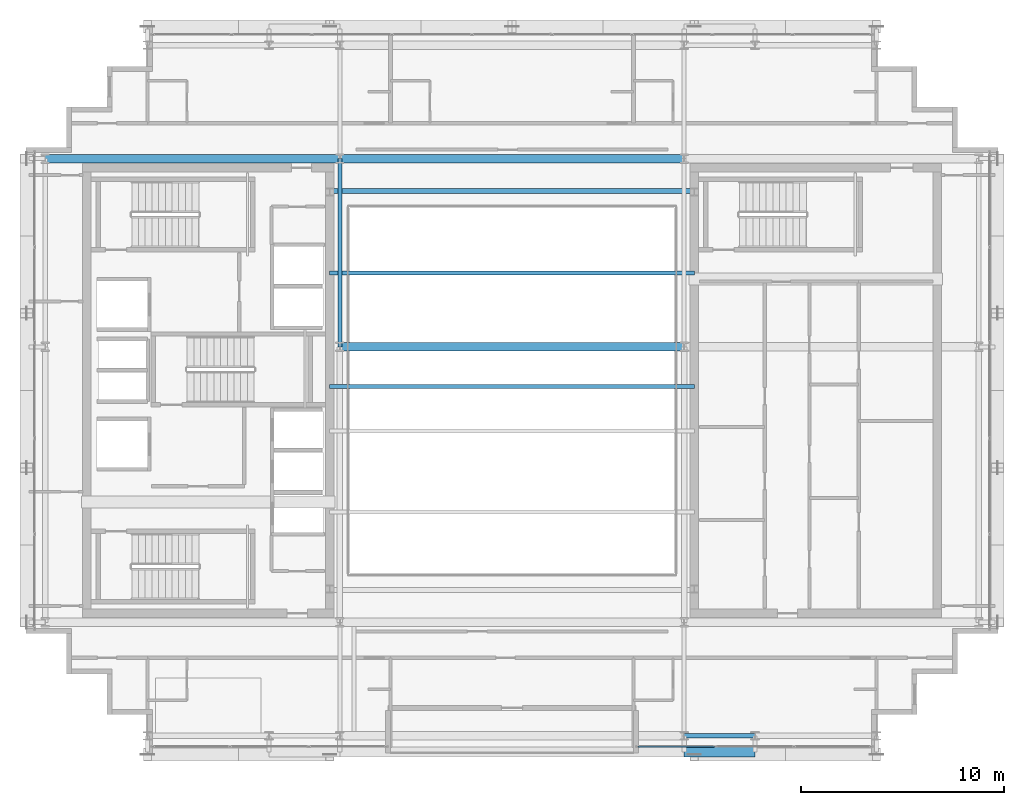
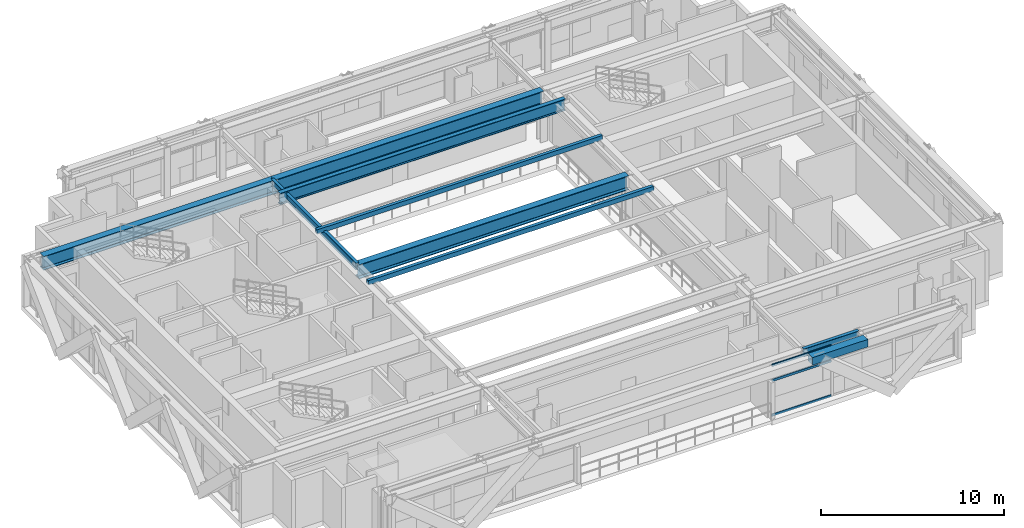
# One storey, part 9 of 29: 7 beams, 5 members, 1 element without a shape of its own.
"""IFC4 building model written with IfcOpenShell, lengths in metres."""

from ifc_helpers import new_model, si_unit, direction, frame, origin, origin_2d, place, context, subcontext, project, spatial, hollow_rectangle, i_section, extrude, source, transform, mapped, material, layer, layer_set, material_profile, profile_set, type_object, element, aggregate, save


model = new_model("IFC4")

# Units and contexts
model_context = context("Model", 3, precision=1e-05, world=origin(), true_north=direction((0.0, 1.0)))
body_context = subcontext(model_context, "Body", "Model", "MODEL_VIEW")
ifc_project = project(units=[si_unit("LENGTHUNIT", "METRE"), si_unit("AREAUNIT", "SQUARE_METRE"), si_unit("VOLUMEUNIT", "CUBIC_METRE"), si_unit("PLANEANGLEUNIT", "RADIAN"), si_unit("MASSUNIT", "GRAM", prefix="KILO")], contexts=[model_context])

# Site, building, storey
site_placement = place(None, origin())
site = spatial("IfcSite", under=ifc_project, at=site_placement, CompositionType="ELEMENT")
building_placement = place(site_placement, origin())
building = spatial("IfcBuilding", under=site, at=building_placement, Name="Ocotamira Hotel", CompositionType="ELEMENT")
storey_placement = place(building_placement, frame((0.0, 0.0, 247.199951171875)))
storey = spatial("IfcBuildingStorey", under=building, at=storey_placement, Name="L62", CompositionType="ELEMENT", Elevation=247.199951171875)

# Beams
ifc_material_1 = material(Name="Steel ASTM A992 Grade 50", Category="steel")
ifc_material_profile_1 = material_profile(ifc_material_1, i_section(OverallWidth=0.41796875, OverallDepth=0.927001953125, WebThickness=0.019287109375, FlangeThickness=0.031982421875, FilletRadius=0.02392578125, at=origin_2d()), Name="W36X231")
ifc_profile_set_1 = profile_set([ifc_material_profile_1], Name="Steel ASTM A992 Grade 50")
beam_type_1 = type_object("IfcBeamType", Name="BM-GIRD-W36X231", PredefinedType="BEAM", material=ifc_profile_set_1)
shared_shape_1 = source(origin(), body_context, "Body", "SweptSolid", [
    extrude(i_section(OverallWidth=0.41796875, OverallDepth=0.927001953125, WebThickness=0.019287109375, FlangeThickness=0.031982421875, FilletRadius=0.02392578125, at=origin_2d()), origin(), (0.0, 0.0, 1.0), 14.550048828125),
])
beam_1_placement = place(storey_placement, frame((8.949951171875, 37.449951171875, 2.91650390625), z_axis=(1.0, 0.0, 0.0), x_axis=(0.0, 1.0, 0.0)))
element("IfcBeam", 1, at=beam_1_placement, inside=storey, type_object=beam_type_1, Name="L62 Girder Y37.45 X8.95-23.5", PredefinedType="BEAM", context=body_context, shape_type="MappedRepresentation", body=[
    mapped(shared_shape_1, transform((0.0, 0.0, 0.0), scale=1.0)),
])
ifc_material_profile_2 = material_profile(ifc_material_1, i_section(OverallWidth=0.2099609375, OverallDepth=0.537109375, WebThickness=0.010986328125, FlangeThickness=0.017333984375, FilletRadius=0.012939453125, at=origin_2d()), Name="W21X68")
ifc_profile_set_2 = profile_set([ifc_material_profile_2], Name="Steel ASTM A992 Grade 50")
beam_type_2 = type_object("IfcBeamType", Name="BM-SEC-W21X68", PredefinedType="JOIST", material=ifc_profile_set_2)
shared_shape_2 = source(origin(), body_context, "Body", "SweptSolid", [
    extrude(i_section(OverallWidth=0.2099609375, OverallDepth=0.537109375, WebThickness=0.010986328125, FlangeThickness=0.017333984375, FilletRadius=0.012939453125, at=origin_2d()), origin(), (0.0, 0.0, 1.0), 3.5),
])
beam_2_placement = place(storey_placement, frame((40.5, 8.949951171875, 3.111572265625), z_axis=(1.0, 0.0, 0.0), x_axis=(0.0, 1.0, 0.0)))
element("IfcBeam", 2, at=beam_2_placement, inside=storey, type_object=beam_type_2, Name="L62 Girder Y8.95 X40.5-44", PredefinedType="JOIST", context=body_context, shape_type="MappedRepresentation", body=[
    mapped(shared_shape_2, transform((0.0, 0.0, 0.0), scale=1.0)),
])
ifc_material_profile_3 = material_profile(ifc_material_1, i_section(OverallWidth=0.18994140625, OverallDepth=0.45703125, WebThickness=0.009033203125, FlangeThickness=0.014404296875, FilletRadius=0.010009765625, at=origin_2d()), Name="W18X50")
ifc_profile_set_3 = profile_set([ifc_material_profile_3], Name="Steel ASTM A992 Grade 50")
beam_type_3 = type_object("IfcBeamType", Name="BM-SEC-W18X50", PredefinedType="JOIST", material=ifc_profile_set_3)
shared_shape_3 = source(origin(), body_context, "Body", "SweptSolid", [
    extrude(i_section(OverallWidth=0.18994140625, OverallDepth=0.45703125, WebThickness=0.009033203125, FlangeThickness=0.014404296875, FilletRadius=0.010009765625, at=origin_2d()), origin(), (0.0, 0.0, 1.0), 9.300048828125),
])
beam_3_placement = place(storey_placement, frame((23.5, 28.14990234375, 3.151611328125), z_axis=(0.0, 1.0, 0.0), x_axis=(-1.0, 0.0, 0.0)))
element("IfcBeam", 3, at=beam_3_placement, inside=storey, type_object=beam_type_3, Name="L62 Beam X23.5 Y28.15-37.45", PredefinedType="JOIST", context=body_context, shape_type="MappedRepresentation", body=[
    mapped(shared_shape_3, transform((0.0, 0.0, 0.0), scale=1.0)),
])
ifc_material_2 = material(Name="Steel ASTM A913 Grade 65", Category="steel")
ifc_material_profile_4 = material_profile(ifc_material_2, i_section(OverallWidth=0.423095703125, OverallDepth=0.947998046875, WebThickness=0.02392578125, FlangeThickness=0.042724609375, FilletRadius=0.02392578125, at=origin_2d()), Name="W36X302")
ifc_profile_set_4 = profile_set([ifc_material_profile_4], Name="Steel ASTM A913 Grade 65")
beam_type_4 = type_object("IfcBeamType", Name="BM-TRUSS-W36X302", PredefinedType="BEAM", material=ifc_profile_set_4)
shared_shape_4 = source(origin(), body_context, "Body", "SweptSolid", [
    extrude(i_section(OverallWidth=0.423095703125, OverallDepth=0.947998046875, WebThickness=0.02392578125, FlangeThickness=0.042724609375, FilletRadius=0.02392578125, at=origin_2d()), origin(), (0.0, 0.0, 1.0), 17.0),
])
for number, where, z_axis, x_axis, name in (
    (4, (23.5, 28.14990234375, 2.906005859375), (1.0, 0.0, 0.0), (0.0, 1.0, 0.0), "L62 Girder Y28.15 X23.5-40.5"),
    (5, (23.5, 37.449951171875, 2.906005859375), (1.0, 0.0, 0.0), (0.0, 1.0, 0.0), "L62 Girder Y37.45 X23.5-40.5"),
):
    element("IfcBeam", number, at=place(storey_placement, frame(where, z_axis=z_axis, x_axis=x_axis)), inside=storey, type_object=beam_type_4, Name=name, PredefinedType="BEAM", context=body_context, shape_type="MappedRepresentation", body=[
        mapped(shared_shape_4, transform((0.0, 0.0, 0.0), scale=1.0)),
    ])

# Members
ifc_material_3 = material(Name="Steel ASTM A500 Grade C", Category="steel")
ifc_material_profile_5 = material_profile(ifc_material_3, hollow_rectangle(XDim=0.199951171875, YDim=0.300048828125, WallThickness=0.011962890625, at=origin_2d()), Name="HSS300X200X12")
ifc_profile_set_5 = profile_set([ifc_material_profile_5], Name="Steel ASTM A500 Grade C")
member_type_1 = type_object("IfcMemberType", Name="MEM-PURL-HSS300", PredefinedType="PURLIN", material=ifc_profile_set_5)
shared_shape_5 = source(origin(), body_context, "Body", "SweptSolid", [
    extrude(hollow_rectangle(XDim=0.199951171875, YDim=0.300048828125, WallThickness=0.011962890625, at=origin_2d()), origin(), (0.0, 0.0, 1.0), 18.0),
])
for number, where, z_axis, x_axis, name in (
    (6, (23.0, 26.199951171875, 3.449951171875), (1.0, 0.0, 0.0), (0.0, 1.0, 0.0), "L62 Atrium Roof Purlin Y26.2"),
    (7, (23.0, 31.800048828125, 3.449951171875), (1.0, 0.0, 0.0), (0.0, 1.0, 0.0), "L62 Atrium Roof Purlin Y31.8"),
):
    element("IfcMember", number, at=place(storey_placement, frame(where, z_axis=z_axis, x_axis=x_axis)), inside=storey, type_object=member_type_1, Name=name, PredefinedType="PURLIN", context=body_context, shape_type="MappedRepresentation", body=[
        mapped(shared_shape_5, transform((0.0, 0.0, 0.0), scale=1.0)),
    ])

# Beams
ifc_material_profile_6 = material_profile(ifc_material_3, hollow_rectangle(XDim=0.5, YDim=0.5, WallThickness=0.02001953125, at=origin_2d()), Name="HSS500X500X20")
ifc_profile_set_6 = profile_set([ifc_material_profile_6], Name="Steel ASTM A500 Grade C")
beam_type_5 = type_object("IfcBeamType", Name="BM-SPAN-HSS500", PredefinedType="USERDEFINED", material=ifc_profile_set_6)
shared_shape_6 = source(origin(), body_context, "Body", "SweptSolid", [
    extrude(hollow_rectangle(XDim=0.5, YDim=0.5, WallThickness=0.02001953125, at=origin_2d()), origin(), (0.0, 0.0, 1.0), 3.5),
])
beam_4_placement = place(storey_placement, frame((40.5, 8.14990234375, 3.130126953125), z_axis=(1.0, 0.0, 0.0), x_axis=(0.0, 1.0, 0.0)))
element("IfcBeam", 8, at=beam_4_placement, inside=storey, type_object=beam_type_5, Name="L62 Edge Spandrel S X40.5-44", ObjectType="SPANDREL", PredefinedType="USERDEFINED", context=body_context, shape_type="MappedRepresentation", body=[
    mapped(shared_shape_6, transform((0.0, 0.0, 0.0), scale=1.0)),
])
ifc_material_profile_7 = material_profile(ifc_material_1, i_section(OverallWidth=0.26611328125, OverallDepth=0.779052734375, WebThickness=0.0166015625, FlangeThickness=0.030029296875, FilletRadius=0.01806640625, at=origin_2d()), Name="W30X148")
ifc_profile_set_7 = profile_set([ifc_material_profile_7], Name="Steel ASTM A992 Grade 50")
beam_type_6 = type_object("IfcBeamType", Name="BM-GIRD-W30X148", PredefinedType="BEAM", material=ifc_profile_set_7)
shared_shape_7 = source(origin(), body_context, "Body", "SweptSolid", [
    extrude(i_section(OverallWidth=0.26611328125, OverallDepth=0.779052734375, WebThickness=0.0166015625, FlangeThickness=0.030029296875, FilletRadius=0.01806640625, at=origin_2d()), origin(), (0.0, 0.0, 1.0), 18.0),
])
beam_5_placement = place(storey_placement, frame((23.0, 35.85009765625, 3.21044921875), z_axis=(1.0, 0.0, 0.0), x_axis=(0.0, 1.0, 0.0)))
element("IfcBeam", 9, at=beam_5_placement, inside=storey, type_object=beam_type_6, Name="L62 Atrium Roof Edge Girder N", PredefinedType="BEAM", context=body_context, shape_type="MappedRepresentation", body=[
    mapped(shared_shape_7, transform((0.0, 0.0, 0.0), scale=1.0)),
])

# Curtain wall, members
ifc_material_4 = material(Name="Anodised pale-metal aluminium and solar glass", Category="aluminium")
ifc_layer = layer(ifc_material_4, 0.239990234375)
ifc_layer_set = layer_set([ifc_layer], Name="Anodised pale-metal aluminium and solar glass")
curtain_wall_type = type_object("IfcCurtainWallType", Name="CW-SYS5-SKY", PredefinedType="NOTDEFINED", material=ifc_layer_set)
curtain_wall_placement = place(storey_placement, origin())
curtain_wall = element("IfcCurtainWall", 10, at=curtain_wall_placement, inside=storey, type_object=curtain_wall_type, Name="L62 Curtain Wall CW-5 CW-L62-S2", PredefinedType="NOTDEFINED")
ifc_material_5 = material(Name="Anodised pale-metal aluminium 6063-T6", Category="aluminium")
ifc_material_profile_8 = material_profile(ifc_material_5, hollow_rectangle(XDim=0.074951171875, YDim=0.14990234375, WallThickness=0.006103515625, at=origin_2d()), Name="HSS150X75X6")
ifc_profile_set_8 = profile_set([ifc_material_profile_8], Name="Anodised pale-metal aluminium 6063-T6")
member_type_2 = type_object("IfcMemberType", Name="CWT-150X75", PredefinedType="USERDEFINED", material=ifc_profile_set_8)
shared_shape_8 = source(origin(), body_context, "Body", "SweptSolid", [
    extrude(hollow_rectangle(XDim=0.074951171875, YDim=0.14990234375, WallThickness=0.006103515625, at=origin_2d()), origin(), (0.0, 0.0, 1.0), 3.763427734375),
])
member_1_placement = place(storey_placement, frame((38.22998046875, 8.419921875, 0.03759765625), z_axis=(1.0, 0.0, 0.0), x_axis=(0.0, 1.0, 0.0)))
member_1 = element("IfcMember", 11, at=member_1_placement, type_object=member_type_2, Name="CW-5 transom 1.1", ObjectType="TRANSOM", PredefinedType="USERDEFINED", context=body_context, shape_type="MappedRepresentation", body=[
    mapped(shared_shape_8, transform((0.0, 0.0, 0.0), scale=1.0)),
])
member_2_placement = place(storey_placement, frame((38.22998046875, 8.419921875, 2.35009765625), z_axis=(1.0, 0.0, 0.0), x_axis=(0.0, 1.0, 0.0)))
member_2 = element("IfcMember", 12, at=member_2_placement, type_object=member_type_2, Name="CW-5 transom 1.2", ObjectType="TRANSOM", PredefinedType="USERDEFINED", context=body_context, shape_type="MappedRepresentation", body=[
    mapped(shared_shape_8, transform((0.0, 0.0, 0.0), scale=1.0)),
])
member_3_placement = place(storey_placement, frame((38.22998046875, 8.419921875, 3.342529296875), z_axis=(1.0, 0.0, 0.0), x_axis=(0.0, 1.0, 0.0)))
member_3 = element("IfcMember", 13, at=member_3_placement, type_object=member_type_2, Name="CW-5 transom 1.3", ObjectType="TRANSOM", PredefinedType="USERDEFINED", context=body_context, shape_type="MappedRepresentation", body=[
    mapped(shared_shape_8, transform((0.0, 0.0, 0.0), scale=1.0)),
])
aggregate(curtain_wall, [member_1, member_2, member_3])

save(model, "model.ifc")
